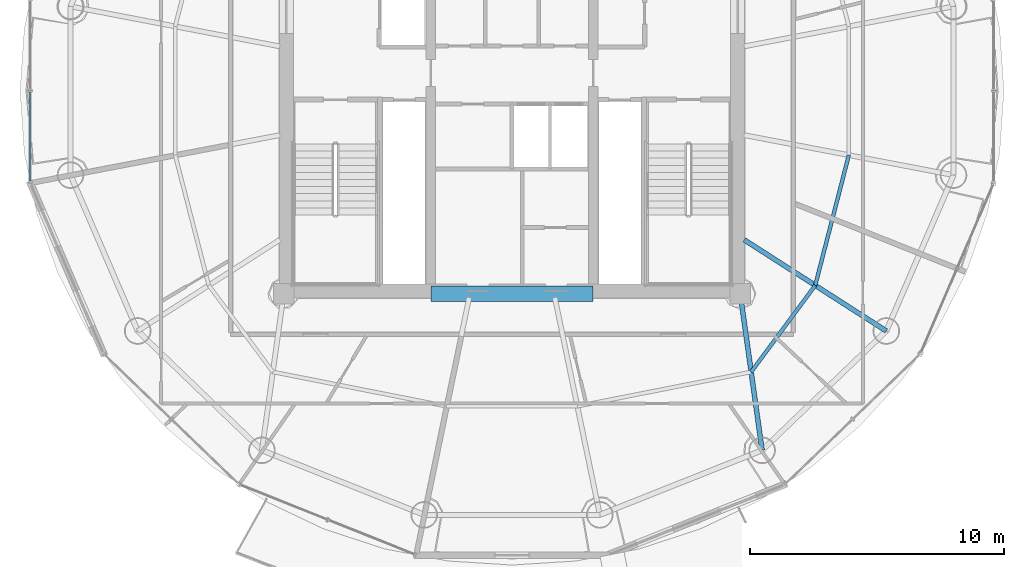
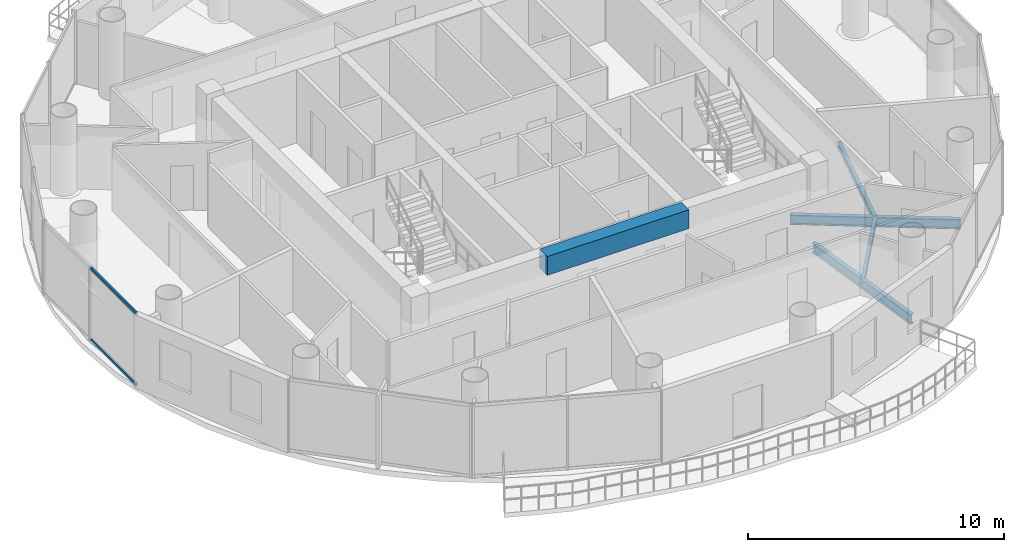
# One storey, part 7 of 23: 5 beams, 2 members, 1 element without a shape of its own.
"""IFC4 building model written with IfcOpenShell, lengths in metres."""

from ifc_helpers import new_model, si_unit, direction, frame, origin, origin_2d, place, context, subcontext, project, spatial, rectangle, hollow_rectangle, i_section, extrude, source, transform, mapped, material, material_profile, profile_set, type_object, element, aggregate, save


model = new_model("IFC4")

# Units and contexts
model_context = context("Model", 3, precision=1e-05, world=origin(), true_north=direction((-0.2419218956, 0.970295726276)))
body_context = subcontext(model_context, "Body", "Model", "MODEL_VIEW")
ifc_project = project(units=[si_unit("LENGTHUNIT", "METRE"), si_unit("AREAUNIT", "SQUARE_METRE"), si_unit("VOLUMEUNIT", "CUBIC_METRE"), si_unit("PLANEANGLEUNIT", "RADIAN"), si_unit("MASSUNIT", "GRAM", prefix="KILO")], contexts=[model_context])

# Site, building, storey
site_placement = place(None, origin())
site = spatial("IfcSite", under=ifc_project, at=site_placement, CompositionType="ELEMENT")
building_placement = place(site_placement, origin())
building = spatial("IfcBuilding", under=site, at=building_placement, Name="Cobrevalo Terracotta Tower", CompositionType="ELEMENT")
storey_placement = place(building_placement, frame((0.0, 0.0, 255.699951171875)))
storey = spatial("IfcBuildingStorey", under=building, at=storey_placement, Name="L67", CompositionType="ELEMENT", Elevation=255.699951171875)

# Beams
ifc_material_1 = material(Name="Concrete C60", Category="concrete")
ifc_material_profile_1 = material_profile(ifc_material_1, rectangle(XDim=0.60009765625, YDim=0.89990234375, at=origin_2d()), Name="RC CB 600x900")
ifc_profile_set_1 = profile_set([ifc_material_profile_1], Name="Concrete C60")
beam_type_1 = type_object("IfcBeamType", Name="Structural Beam RC CB 600x900 (Concrete C60)", PredefinedType="BEAM", material=ifc_profile_set_1)
beam_1_placement = place(storey_placement, frame((34.800048828125, 18.800048828125, 3.0400390625), z_axis=(1.0, 0.0, 0.0), x_axis=(0.0, 1.0, 0.0)))
element("IfcBeam", 1, at=beam_1_placement, inside=storey, type_object=beam_type_1, Name="L67 core coupling beam 1", PredefinedType="BEAM", context=body_context, shape_type="SweptSolid", body=[
    extrude(rectangle(XDim=0.60009765625, YDim=0.89990234375, at=origin_2d()), origin(), (0.0, 0.0, 1.0), 6.39990234375),
])
ifc_material_2 = material(Name="Steel S355", Category="steel")
ifc_material_profile_2 = material_profile(ifc_material_2, i_section(OverallWidth=0.19091796875, OverallDepth=0.4599609375, WebThickness=0.010009765625, FlangeThickness=0.01611328125, at=origin_2d()), Name="W 460x82")
ifc_profile_set_2 = profile_set([ifc_material_profile_2], Name="Steel S355")
beam_type_2 = type_object("IfcBeamType", Name="Structural Beam W 460x82 (Steel S355)", PredefinedType="BEAM", material=ifc_profile_set_2)
beam_2_placement = place(storey_placement, frame((47.861328125, 12.62353515625, -0.489990234375), z_axis=(-0.138115657759, 0.990416107039, 0.0), x_axis=(-0.990416107039, -0.138115657759, 0.0)))
element("IfcBeam", 2, at=beam_2_placement, inside=storey, type_object=beam_type_2, Name="L67 radial floor girder 14", PredefinedType="BEAM", context=body_context, shape_type="SweptSolid", body=[
    extrude(i_section(OverallWidth=0.19091796875, OverallDepth=0.4599609375, WebThickness=0.010009765625, FlangeThickness=0.01611328125, at=origin_2d()), origin(), (0.0, 0.0, 1.0), 6.236328125),
])
beam_3_placement = place(storey_placement, frame((52.758544921875, 17.32763671875, -0.489990234375), z_axis=(-0.84157615512, 0.540138477739, 0.0), x_axis=(-0.540138477739, -0.84157615512, 0.0)))
element("IfcBeam", 3, at=beam_3_placement, inside=storey, type_object=beam_type_2, Name="L67 radial floor girder 15", PredefinedType="BEAM", context=body_context, shape_type="SweptSolid", body=[
    extrude(i_section(OverallWidth=0.19091796875, OverallDepth=0.4599609375, WebThickness=0.010009765625, FlangeThickness=0.01611328125, at=origin_2d()), origin(), (0.0, 0.0, 1.0), 6.658447265625),
])
ifc_material_profile_3 = material_profile(ifc_material_2, i_section(OverallWidth=0.14794921875, OverallDepth=0.26611328125, WebThickness=0.007568359375, FlangeThickness=0.012939453125, at=origin_2d()), Name="W 250x44.8")
ifc_profile_set_3 = profile_set([ifc_material_profile_3], Name="Steel S355")
beam_type_3 = type_object("IfcBeamType", Name="Structural Joist W 250x44.8 (Steel S355)", PredefinedType="JOIST", material=ifc_profile_set_3)
beam_4_placement = place(storey_placement, frame((47.4306640625, 15.711669921875, -0.39306640625), z_axis=(0.594799916617, 0.803873783123, 0.0), x_axis=(-0.803873783123, 0.594799916617, 0.0)))
element("IfcBeam", 4, at=beam_4_placement, inside=storey, type_object=beam_type_3, Name="L67 circumferential secondary floor joist 14", PredefinedType="JOIST", context=body_context, shape_type="SweptSolid", body=[
    extrude(i_section(OverallWidth=0.14794921875, OverallDepth=0.26611328125, WebThickness=0.007568359375, FlangeThickness=0.012939453125, at=origin_2d()), origin(), (0.0, 0.0, 1.0), 4.2470703125),
])
beam_5_placement = place(storey_placement, frame((49.956787109375, 19.125732421875, -0.39306640625), z_axis=(0.249816773293, 0.968293126993, 0.0), x_axis=(-0.968293126993, 0.249816773293, 0.0)))
element("IfcBeam", 5, at=beam_5_placement, inside=storey, type_object=beam_type_3, Name="L67 circumferential secondary floor joist 15", PredefinedType="JOIST", context=body_context, shape_type="SweptSolid", body=[
    extrude(i_section(OverallWidth=0.14794921875, OverallDepth=0.26611328125, WebThickness=0.007568359375, FlangeThickness=0.012939453125, at=origin_2d()), origin(), (0.0, 0.0, 1.0), 5.3046875),
])

# Curtain wall, members
ifc_material_3 = material(Name="Anodized aluminium", Category="aluminium")
curtain_wall_type = type_object("IfcCurtainWallType", Name="Upper-tower triple-glazed penthouse curtain wall CW-U3", PredefinedType="NOTDEFINED", material=ifc_material_3)
curtain_wall_placement = place(storey_placement, origin())
curtain_wall = element("IfcCurtainWall", 6, at=curtain_wall_placement, inside=storey, type_object=curtain_wall_type, Name="L67 curtain wall CW-L67-S08", PredefinedType="NOTDEFINED")
ifc_material_profile_4 = material_profile(ifc_material_3, hollow_rectangle(XDim=0.074951171875, YDim=0.14990234375, WallThickness=0.00439453125, at=origin_2d()), Name="CWT 75x150")
ifc_profile_set_4 = profile_set([ifc_material_profile_4], Name="Anodized aluminium")
member_type = type_object("IfcMemberType", Name="Tower unitised aluminium transom 75x150", PredefinedType="USERDEFINED", material=ifc_profile_set_4)
shared_shape = source(origin(), body_context, "Body", "SweptSolid", [
    extrude(hollow_rectangle(XDim=0.074951171875, YDim=0.14990234375, WallThickness=0.00439453125, at=origin_2d()), origin(), (0.0, 0.0, 1.0), 3.5224609375),
])
member_1_placement = place(storey_placement, frame((19.002197265625, 26.760009765625, 0.050048828125), z_axis=(0.0, -1.0, 0.0), x_axis=(1.0, 0.0, 0.0)))
member_1 = element("IfcMember", 7, at=member_1_placement, type_object=member_type, Name="CW-L67-S08 transom B02-T1", ObjectType="TRANSOM", PredefinedType="USERDEFINED", context=body_context, shape_type="MappedRepresentation", body=[
    mapped(shared_shape, transform((0.0, 0.0, 0.0), scale=1.0)),
])
member_2_placement = place(storey_placement, frame((19.002197265625, 26.760009765625, 3.43994140625), z_axis=(0.0, -1.0, 0.0), x_axis=(1.0, 0.0, 0.0)))
member_2 = element("IfcMember", 8, at=member_2_placement, type_object=member_type, Name="CW-L67-S08 transom B02-T2", ObjectType="TRANSOM", PredefinedType="USERDEFINED", context=body_context, shape_type="MappedRepresentation", body=[
    mapped(shared_shape, transform((0.0, 0.0, 0.0), scale=1.0)),
])
aggregate(curtain_wall, [member_1, member_2])

save(model, "model.ifc")
